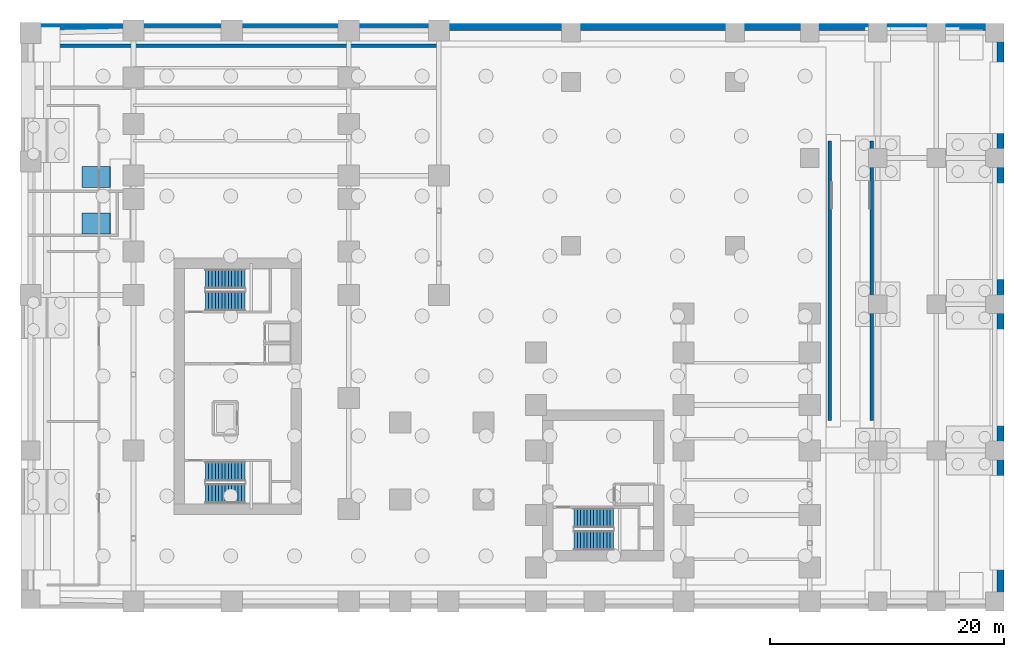
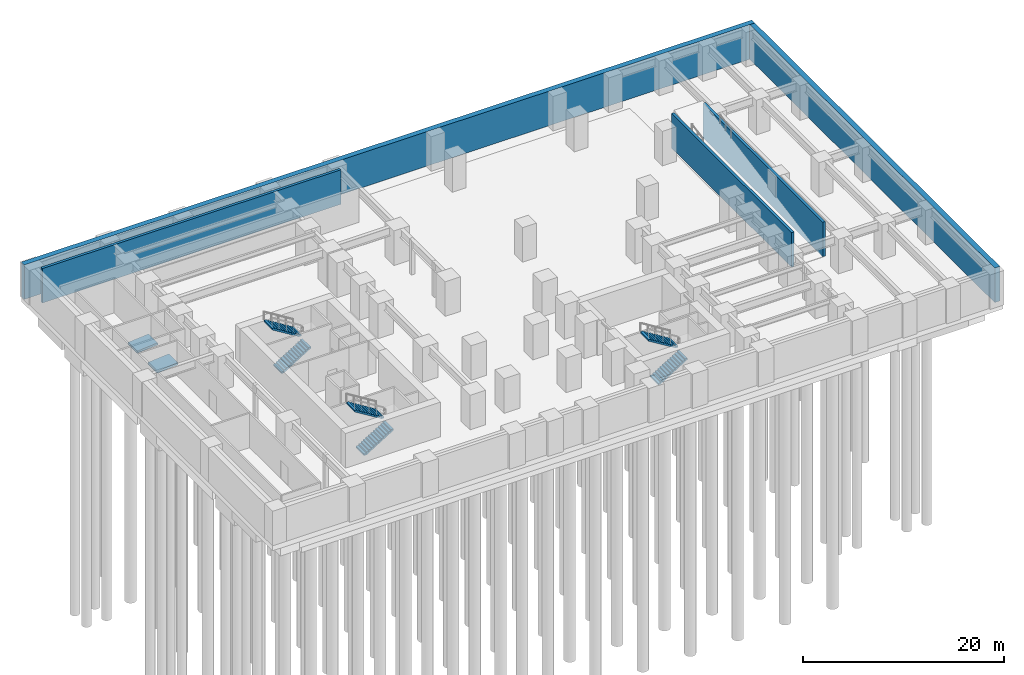
# One storey, part 12 of 15: 6 stair flights, 5 walls, 2 ramp flights, 5 elements without a shape of their own.
"""IFC4 building model written with IfcOpenShell, lengths in metres."""

from ifc_helpers import new_model, si_unit, direction, frame, frame_2d, origin, place, context, subcontext, project, spatial, polyline, rectangle, outline, extrude, source, transform, mapped, material, layer, layer_set, type_object, element, aggregate, save


model = new_model("IFC4")

# Units and contexts
model_context = context("Model", 3, precision=1e-05, world=origin(), true_north=direction((0.0, 1.0)))
body_context = subcontext(model_context, "Body", "Model", "MODEL_VIEW")
ifc_project = project(units=[si_unit("LENGTHUNIT", "METRE"), si_unit("AREAUNIT", "SQUARE_METRE"), si_unit("VOLUMEUNIT", "CUBIC_METRE"), si_unit("PLANEANGLEUNIT", "RADIAN"), si_unit("MASSUNIT", "GRAM", prefix="KILO")], contexts=[model_context])

# Site, building, storey
site_placement = place(None, origin())
site = spatial("IfcSite", under=ifc_project, at=site_placement, CompositionType="ELEMENT")
building_placement = place(site_placement, origin())
building = spatial("IfcBuilding", under=site, at=building_placement, Name="Kharzan Plaza Tower", CompositionType="ELEMENT")
storey_placement = place(building_placement, frame((0.0, 0.0, -9.0)))
storey = spatial("IfcBuildingStorey", under=building, at=storey_placement, Name="B02", CompositionType="ELEMENT", Elevation=-9.0)

# Walls
ifc_material_1 = material(Name="Concrete C50/60", Category="concrete")
ifc_layer_1 = layer(ifc_material_1, 0.60009765625)
ifc_layer_set_1 = layer_set([ifc_layer_1], Name="Concrete C50/60")
wall_type_1 = type_object("IfcWallType", Name="WL-RETAIN-600", PredefinedType="USERDEFINED", material=ifc_layer_set_1)
shared_shape_1 = source(origin(), body_context, "Body", "SweptSolid", [
    extrude(rectangle(XDim=48.7998046875, YDim=0.60009765625, at=frame_2d((24.39990234375, 0.0))), origin(), (0.0, 0.0, 1.0), 4.199951171875),
])
wall_1_placement = place(storey_placement, frame((74.699951171875, 0.60009765625, 0.0), z_axis=(0.0, 0.0, 1.0), x_axis=(0.0, 1.0, 0.0)))
element("IfcWall", 1, at=wall_1_placement, inside=storey, type_object=wall_type_1, Name="B02 East Basement Retaining Wall 600 mm", ObjectType="RETAININGWALL", PredefinedType="USERDEFINED", context=body_context, shape_type="MappedRepresentation", body=[
    mapped(shared_shape_1, transform((0.0, 0.0, 0.0), x_axis=(1.0, 0.0, 0.0), y_axis=(0.0, 1.0, 0.0), z_axis=(0.0, 0.0, 1.0))),
])
shared_shape_2 = source(origin(), body_context, "Body", "SweptSolid", [
    extrude(rectangle(XDim=84.0, YDim=0.60009765625, at=frame_2d((42.0, 0.0))), origin(), (0.0, 0.0, 1.0), 4.199951171875),
])
wall_2_placement = place(storey_placement, frame((-9.0, 49.699951171875, 0.0), z_axis=(0.0, 0.0, 1.0), x_axis=(1.0, 0.0, 0.0)))
element("IfcWall", 2, at=wall_2_placement, inside=storey, type_object=wall_type_1, Name="B02 North Basement Retaining Wall 600 mm", ObjectType="RETAININGWALL", PredefinedType="USERDEFINED", context=body_context, shape_type="MappedRepresentation", body=[
    mapped(shared_shape_2, transform((0.0, 0.0, 0.0), x_axis=(1.0, 0.0, 0.0), y_axis=(0.0, 1.0, 0.0), z_axis=(0.0, 0.0, 1.0))),
])
ifc_layer_2 = layer(ifc_material_1, 0.300048828125)
ifc_layer_set_2 = layer_set([ifc_layer_2], Name="Concrete C50/60")
wall_type_2 = type_object("IfcWallType", Name="WL-RAMP-RC300", PredefinedType="SHEAR", material=ifc_layer_set_2)
shared_shape_3 = source(origin(), body_context, "Body", "SweptSolid", [
    extrude(rectangle(XDim=23.89990234375, YDim=0.300048828125, at=frame_2d((11.949951171875, 0.0))), origin(), (0.0, 0.0, 1.0), 4.199951171875),
])
for number, where, z_axis, x_axis, name in (
    (3, (60.10009765625, 16.050048828125, 0.0), (0.0, 0.0, 1.0), (0.0, 1.0, 0.0), "B02 Vehicular Ramp West Support Wall"),
    (4, (63.699951171875, 16.050048828125, 0.0), (0.0, 0.0, 1.0), (0.0, 1.0, 0.0), "B02 Vehicular Ramp East Support Wall"),
):
    element("IfcWall", number, at=place(storey_placement, frame(where, z_axis=z_axis, x_axis=x_axis)), inside=storey, type_object=wall_type_2, Name=name, PredefinedType="SHEAR", context=body_context, shape_type="MappedRepresentation", body=[
        mapped(shared_shape_3, transform((0.0, 0.0, 0.0), x_axis=(1.0, 0.0, 0.0), y_axis=(0.0, 1.0, 0.0), z_axis=(0.0, 0.0, 1.0))),
    ])
shared_shape_4 = source(origin(), body_context, "Body", "SweptSolid", [
    extrude(rectangle(XDim=34.300048828125, YDim=0.300048828125, at=frame_2d((17.14990234375, 0.0))), origin(), (0.0, 0.0, 1.0), 4.199951171875),
])
wall_3_placement = place(storey_placement, frame((-7.75, 48.10009765625, 0.0), z_axis=(0.0, 0.0, 1.0), x_axis=(1.0, 0.0, 0.0)))
element("IfcWall", 5, at=wall_3_placement, inside=storey, type_object=wall_type_2, Name="B02 Upper Ramp North Support Wall", PredefinedType="SHEAR", context=body_context, shape_type="MappedRepresentation", body=[
    mapped(shared_shape_4, transform((0.0, 0.0, 0.0), x_axis=(1.0, 0.0, 0.0), y_axis=(0.0, 1.0, 0.0), z_axis=(0.0, 0.0, 1.0))),
])

# Stair, stair flights
ifc_material_2 = material(Name="Concrete C40/50", Category="concrete")
stair_type_1 = type_object("IfcStairType", Name="STR-ST-1", PredefinedType="HALF_TURN_STAIR", material=ifc_material_2)
stair_1_placement = place(storey_placement, origin())
stair_1 = element("IfcStair", 6, at=stair_1_placement, inside=storey, type_object=stair_type_1, Name="B02 Protected Exit Stair ST-1", PredefinedType="HALF_TURN_STAIR")
stair_flight_type = type_object("IfcStairFlightType", Name="SFL-1650-R173", PredefinedType="STRAIGHT", material=ifc_material_2)
shared_shape_5 = source(origin(), body_context, "Body", "SweptSolid", [
    extrude(outline(polyline([(-0.0029296875, -0.011962890625), (-0.0029296875, 0.0), (0.0, 0.0), (0.0, 0.173095703125), (0.280029296875, 0.173095703125), (0.280029296875, 0.34619140625), (0.56005859375, 0.34619140625), (0.56005859375, 0.519287109375), (0.840087890625, 0.519287109375), (0.840087890625, 0.6923828125), (1.1201171875, 0.6923828125), (1.1201171875, 0.865478515625), (1.400146484375, 0.865478515625), (1.400146484375, 1.03857421875), (1.68017578125, 1.03857421875), (1.68017578125, 1.211669921875), (1.960205078125, 1.211669921875), (1.960205078125, 1.384765625), (2.240234375, 1.384765625), (2.240234375, 1.557861328125), (2.520263671875, 1.557861328125), (2.520263671875, 1.73095703125), (2.80029296875, 1.73095703125), (2.80029296875, 1.904052734375), (3.080322265625, 1.904052734375), (3.080322265625, 2.0771484375), (3.3603515625, 2.0771484375), (3.3603515625, 2.250244140625), (3.3603515625, 1.90087890625), (0.28515625, 0.0), (0.28515625, -0.011962890625), (-0.0029296875, -0.011962890625)])), frame((0.0, 0.824951171875, 0.0), z_axis=(0.0, -1.0, 0.0), x_axis=(1.0, 0.0, 0.0)), (0.0, 0.0, 1.0), 1.64990234375),
])
stair_flight_1_placement = place(storey_placement, frame((6.75, 9.824951171875, 0.0), z_axis=(0.0, 0.0, 1.0), x_axis=(1.0, 0.0, 0.0)))
stair_flight_1 = element("IfcStairFlight", 7, at=stair_flight_1_placement, type_object=stair_flight_type, Name="ST-1 flight 1", NumberOfRisers=13, NumberOfTreads=12, PredefinedType="STRAIGHT", RiserHeight=0.173076923, TreadLength=0.28, context=body_context, shape_type="MappedRepresentation", body=[
    mapped(shared_shape_5, transform((0.0, 0.0, 0.0), x_axis=(1.0, 0.0, 0.0), y_axis=(0.0, 1.0, 0.0), z_axis=(0.0, 0.0, 1.0))),
])
stair_flight_2_placement = place(storey_placement, frame((10.110107421875, 11.72509765625, 2.25), z_axis=(0.0, 0.0, 1.0), x_axis=(-1.0, 0.0, 0.0)))
stair_flight_2 = element("IfcStairFlight", 8, at=stair_flight_2_placement, type_object=stair_flight_type, Name="ST-1 flight 2", NumberOfRisers=13, NumberOfTreads=12, PredefinedType="STRAIGHT", RiserHeight=0.173076923, TreadLength=0.28, context=body_context, shape_type="MappedRepresentation", body=[
    mapped(shared_shape_5, transform((0.0, 0.0, 0.0), x_axis=(1.0, 0.0, 0.0), y_axis=(0.0, 1.0, 0.0), z_axis=(0.0, 0.0, 1.0))),
])
aggregate(stair_1, [stair_flight_1, stair_flight_2])

stair_type_2 = type_object("IfcStairType", Name="STR-ST-2", PredefinedType="HALF_TURN_STAIR", material=ifc_material_2)
stair_2_placement = place(storey_placement, origin())
stair_2 = element("IfcStair", 9, at=stair_2_placement, inside=storey, type_object=stair_type_2, Name="B02 Protected Exit Stair ST-2", PredefinedType="HALF_TURN_STAIR")
stair_flight_3_placement = place(storey_placement, frame((6.75, 26.27490234375, 0.0), z_axis=(0.0, 0.0, 1.0), x_axis=(1.0, 0.0, 0.0)))
stair_flight_3 = element("IfcStairFlight", 10, at=stair_flight_3_placement, type_object=stair_flight_type, Name="ST-2 flight 1", NumberOfRisers=13, NumberOfTreads=12, PredefinedType="STRAIGHT", RiserHeight=0.173076923, TreadLength=0.28, context=body_context, shape_type="MappedRepresentation", body=[
    mapped(shared_shape_5, transform((0.0, 0.0, 0.0), x_axis=(1.0, 0.0, 0.0), y_axis=(0.0, 1.0, 0.0), z_axis=(0.0, 0.0, 1.0))),
])
stair_flight_4_placement = place(storey_placement, frame((10.110107421875, 28.175048828125, 2.25), z_axis=(0.0, 0.0, 1.0), x_axis=(-1.0, 0.0, 0.0)))
stair_flight_4 = element("IfcStairFlight", 11, at=stair_flight_4_placement, type_object=stair_flight_type, Name="ST-2 flight 2", NumberOfRisers=13, NumberOfTreads=12, PredefinedType="STRAIGHT", RiserHeight=0.173076923, TreadLength=0.28, context=body_context, shape_type="MappedRepresentation", body=[
    mapped(shared_shape_5, transform((0.0, 0.0, 0.0), x_axis=(1.0, 0.0, 0.0), y_axis=(0.0, 1.0, 0.0), z_axis=(0.0, 0.0, 1.0))),
])
aggregate(stair_2, [stair_flight_3, stair_flight_4])

stair_type_3 = type_object("IfcStairType", Name="STR-ST-3", PredefinedType="HALF_TURN_STAIR", material=ifc_material_2)
stair_3_placement = place(storey_placement, origin())
stair_3 = element("IfcStair", 12, at=stair_3_placement, inside=storey, type_object=stair_type_3, Name="B02 Protected Exit Stair ST-3", PredefinedType="HALF_TURN_STAIR")
stair_flight_5_placement = place(storey_placement, frame((38.25, 5.824951171875, 0.0), z_axis=(0.0, 0.0, 1.0), x_axis=(1.0, 0.0, 0.0)))
stair_flight_5 = element("IfcStairFlight", 13, at=stair_flight_5_placement, type_object=stair_flight_type, Name="ST-3 flight 1", NumberOfRisers=13, NumberOfTreads=12, PredefinedType="STRAIGHT", RiserHeight=0.173076923, TreadLength=0.28, context=body_context, shape_type="MappedRepresentation", body=[
    mapped(shared_shape_5, transform((0.0, 0.0, 0.0), x_axis=(1.0, 0.0, 0.0), y_axis=(0.0, 1.0, 0.0), z_axis=(0.0, 0.0, 1.0))),
])
stair_flight_6_placement = place(storey_placement, frame((41.610107421875, 7.72509765625, 2.25), z_axis=(0.0, 0.0, 1.0), x_axis=(-1.0, 0.0, 0.0)))
stair_flight_6 = element("IfcStairFlight", 14, at=stair_flight_6_placement, type_object=stair_flight_type, Name="ST-3 flight 2", NumberOfRisers=13, NumberOfTreads=12, PredefinedType="STRAIGHT", RiserHeight=0.173076923, TreadLength=0.28, context=body_context, shape_type="MappedRepresentation", body=[
    mapped(shared_shape_5, transform((0.0, 0.0, 0.0), x_axis=(1.0, 0.0, 0.0), y_axis=(0.0, 1.0, 0.0), z_axis=(0.0, 0.0, 1.0))),
])
aggregate(stair_3, [stair_flight_5, stair_flight_6])

# Ramp, ramp flight
ramp_type = type_object("IfcRampType", Name="RMP-PED-1", PredefinedType="STRAIGHT_RUN_RAMP", material=ifc_material_2)
ramp_1_placement = place(storey_placement, origin())
ramp_1 = element("IfcRamp", 15, at=ramp_1_placement, inside=storey, type_object=ramp_type, Name="B02 Plant Threshold Accessible Ramp 1", PredefinedType="STRAIGHT_RUN_RAMP")
ifc_layer_3 = layer(ifc_material_2, 0.25)
ifc_layer_set_3 = layer_set([ifc_layer_3], Name="Concrete C40/50")
ramp_flight_type = type_object("IfcRampFlightType", Name="RFL-PED-250", PredefinedType="STRAIGHT", material=ifc_layer_set_3)
ramp_flight_1_placement = place(storey_placement, frame((-3.800048828125, 32.0, 0.0), z_axis=(-0.083020312624, 0.0, 0.996547855194), x_axis=(0.996547855194, 0.0, 0.083020312624)))
ramp_flight_1 = element("IfcRampFlight", 16, at=ramp_flight_1_placement, type_object=ramp_flight_type, Name="B02 Plant Threshold Accessible Ramp Flight 1", PredefinedType="STRAIGHT", context=body_context, shape_type="SweptSolid", body=[
    extrude(outline(polyline([(0.0, 0.0), (2.4084608399539857, 0.0), (2.4084608399539857, 1.8000488281250004), (0.0, 1.8000488281250004), (0.0, 0.0)])), origin(), (0.0, 0.0, -1.0), 0.25),
])
aggregate(ramp_1, [ramp_flight_1])

ramp_2_placement = place(storey_placement, origin())
ramp_2 = element("IfcRamp", 17, at=ramp_2_placement, inside=storey, type_object=ramp_type, Name="B02 Plant Threshold Accessible Ramp 2", PredefinedType="STRAIGHT_RUN_RAMP")
ramp_flight_2_placement = place(storey_placement, frame((-3.800048828125, 36.0, 0.0), z_axis=(-0.083020312624, 0.0, 0.996547855194), x_axis=(0.996547855194, 0.0, 0.083020312624)))
ramp_flight_2 = element("IfcRampFlight", 18, at=ramp_flight_2_placement, type_object=ramp_flight_type, Name="B02 Plant Threshold Accessible Ramp Flight 2", PredefinedType="STRAIGHT", context=body_context, shape_type="SweptSolid", body=[
    extrude(outline(polyline([(0.0, 0.0), (2.4084608399539857, 0.0), (2.4084608399539857, 1.8000488281250004), (0.0, 1.8000488281250004), (0.0, 0.0)])), origin(), (0.0, 0.0, -1.0), 0.25),
])
aggregate(ramp_2, [ramp_flight_2])

save(model, "model.ifc")
